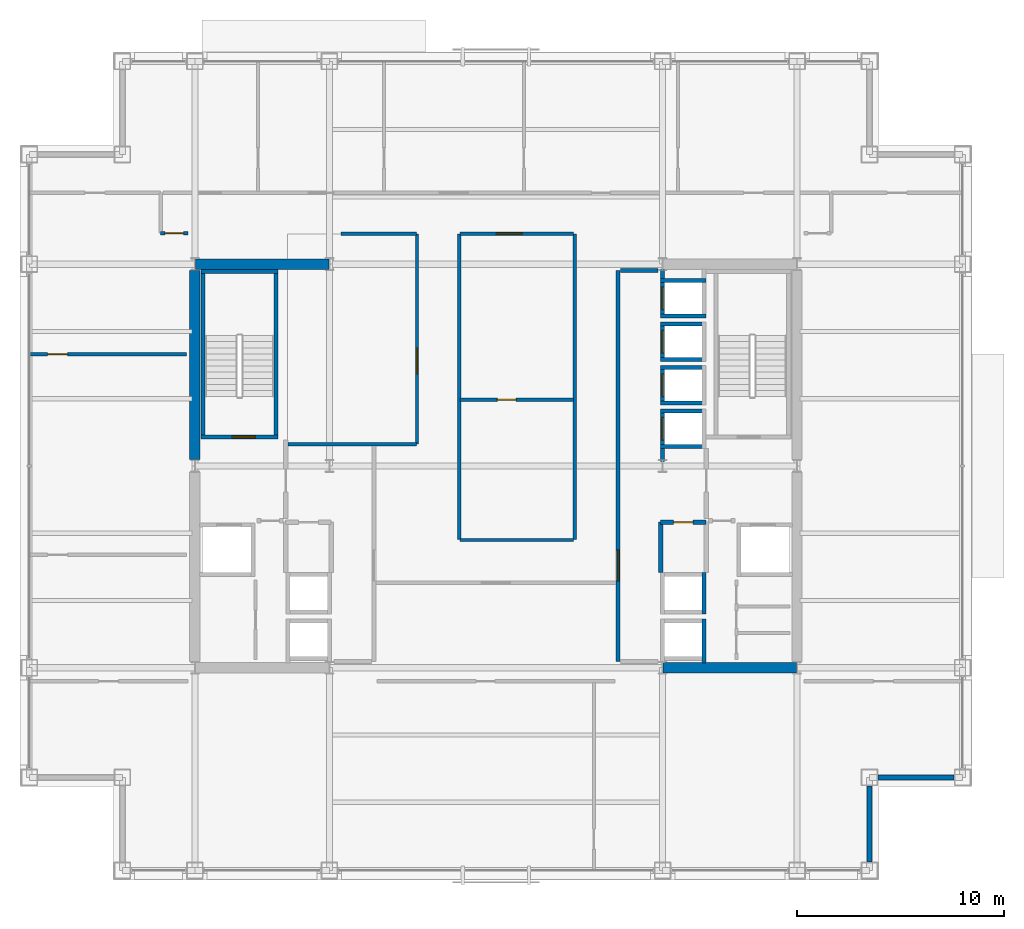
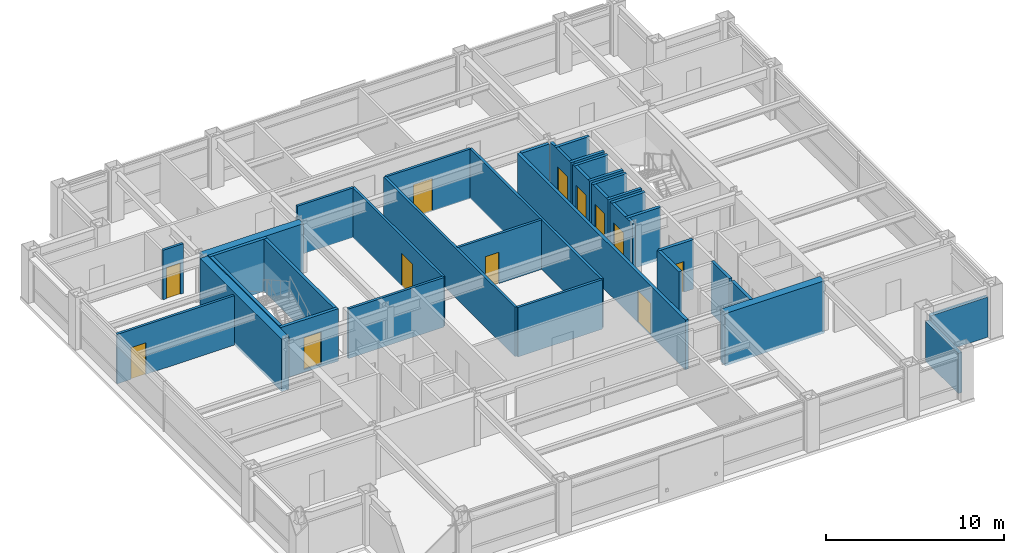
# One storey, part 25 of 28: 37 walls, 12 doors, 12 openings.
"""IFC4 building model written with IfcOpenShell, lengths in metres."""

from ifc_helpers import new_model, si_unit, direction, frame, frame_2d, origin, place, context, subcontext, project, spatial, rectangle, extrude, material, layer, layer_set, type_object, element, fill, save


model = new_model("IFC4")

# Units and contexts
model_context = context("Model", 3, precision=1e-05, world=origin(), true_north=direction((0.0, 1.0)))
body_context = subcontext(model_context, "Body", "Model", "MODEL_VIEW")
ifc_project = project(units=[si_unit("LENGTHUNIT", "METRE"), si_unit("AREAUNIT", "SQUARE_METRE"), si_unit("VOLUMEUNIT", "CUBIC_METRE"), si_unit("PLANEANGLEUNIT", "RADIAN"), si_unit("MASSUNIT", "GRAM", prefix="KILO")], contexts=[model_context])

# Site, building, storey
site_placement = place(None, origin())
site = spatial("IfcSite", under=ifc_project, at=site_placement, CompositionType="ELEMENT")
building_placement = place(site_placement, origin())
building = spatial("IfcBuilding", under=site, at=building_placement, Name="Brelmoor Portico Tower", CompositionType="ELEMENT")
storey_placement = place(building_placement, frame((0.0, 0.0, 142.199951171875)))
storey = spatial("IfcBuildingStorey", under=building, at=storey_placement, Name="L37", CompositionType="ELEMENT", Elevation=142.199951171875)

# Walls
ifc_material_1 = material(Name="Concrete C60", Category="concrete")
ifc_layer_1 = layer(ifc_material_1, 0.5)
ifc_layer_set_1 = layer_set([ifc_layer_1], Name="Concrete C60")
wall_type_1 = type_object("IfcWallType", Name="WL-CORE-500", PredefinedType="SHEAR", material=ifc_layer_set_1)
wall_1_placement = place(storey_placement, frame((-14.530029296875, 9.75, -0.199951171875), z_axis=(0.0, 0.0, 1.0), x_axis=(1.0, 0.0, 0.0)))
element("IfcWall", 1, at=wall_1_placement, inside=storey, type_object=wall_type_1, Name="L37 WC North Shear Wall", PredefinedType="SHEAR", context=body_context, shape_type="SweptSolid", body=[
    extrude(rectangle(XDim=6.4599609375, YDim=0.5, at=frame_2d((3.22998046875, 0.0))), origin(), (0.0, 0.0, 1.0), 3.60009765625),
])
wall_2_placement = place(storey_placement, frame((-14.550048828125, 0.300048828125, -0.199951171875), z_axis=(0.0, 0.0, 1.0), x_axis=(0.0, 1.0, 0.0)))
element("IfcWall", 2, at=wall_2_placement, inside=storey, type_object=wall_type_1, Name="L37 WC Outer North Shear Wall", PredefinedType="SHEAR", context=body_context, shape_type="SweptSolid", body=[
    extrude(rectangle(XDim=9.14990234375, YDim=0.5, at=frame_2d((4.574951171875, 0.0))), origin(), (0.0, 0.0, 1.0), 3.60009765625),
])
wall_3_placement = place(storey_placement, frame((8.070068359375, -9.75, -0.199951171875), z_axis=(0.0, 0.0, 1.0), x_axis=(1.0, 0.0, 0.0)))
element("IfcWall", 3, at=wall_3_placement, inside=storey, type_object=wall_type_1, Name="L37 EC South Shear Wall", PredefinedType="SHEAR", context=body_context, shape_type="SweptSolid", body=[
    extrude(rectangle(XDim=6.4599609375, YDim=0.5, at=frame_2d((3.22998046875, 0.0))), origin(), (0.0, 0.0, 1.0), 3.60009765625),
])
ifc_material_2 = material(Name="Precast Concrete C40 Insulated Facade Wall", Category="concrete")
ifc_layer_2 = layer(ifc_material_2, 0.25)
ifc_layer_set_2 = layer_set([ifc_layer_2], Name="Precast Concrete C40 Insulated Facade Wall")
wall_type_2 = type_object("IfcWallType", Name="WL-EXT-250", PredefinedType="STANDARD", material=ifc_layer_set_2)
for number, where, z_axis, x_axis, name in (
    (4, (18.4599609375, -15.050048828125, 0.0), (0.0, 0.0, 1.0), (1.0, 0.0, 0.0), "L37 Corner Notch Facade Wall NSEH1"),
    (5, (18.050048828125, -19.139892578125, 0.0), (0.0, 0.0, 1.0), (0.0, 1.0, 0.0), "L37 Corner Notch Facade Wall NSEV1"),
):
    element("IfcWall", number, at=place(storey_placement, frame(where, z_axis=z_axis, x_axis=x_axis)), inside=storey, type_object=wall_type_2, Name=name, PredefinedType="STANDARD", context=body_context, shape_type="SweptSolid", body=[
        extrude(rectangle(XDim=3.679931640625, YDim=0.25, at=frame_2d((1.83984375, 0.0))), origin(), (0.0, 0.0, 1.0), 2.75),
    ])
ifc_material_3 = material(Name="Twin-Frame Acoustic Partition", Category="gypsum")
ifc_layer_3 = layer(ifc_material_3, 0.159912109375)
ifc_layer_set_3 = layer_set([ifc_layer_3], Name="Twin-Frame Acoustic Partition")
wall_type_3 = type_object("IfcWallType", Name="WL-PART-160", PredefinedType="PARTITIONING", material=ifc_layer_set_3)
wall_4_placement = place(storey_placement, frame((-10.050048828125, 1.050048828125, 0.0), z_axis=(0.0, 0.0, 1.0), x_axis=(1.0, 0.0, 0.0)))
element("IfcWall", 6, at=wall_4_placement, inside=storey, type_object=wall_type_3, Name="L37 Reclaimed West Suite South Wall", PredefinedType="PARTITIONING", context=body_context, shape_type="SweptSolid", body=[
    extrude(rectangle(XDim=6.2099609375, YDim=0.159912109375, at=frame_2d((3.10498046875, 0.0))), origin(), (0.0, 0.0, 1.0), 3.400146484375),
])

# Wall, opening, door
wall_5_placement = place(storey_placement, frame((-3.820068359375, 1.050048828125, 0.0), z_axis=(0.0, 0.0, 1.0), x_axis=(0.0, 1.0, 0.0)))
wall_5 = element("IfcWall", 7, at=wall_5_placement, inside=storey, type_object=wall_type_3, Name="L37 Reclaimed West Suite East Wall", PredefinedType="PARTITIONING", context=body_context, shape_type="SweptSolid", body=[
    extrude(rectangle(XDim=10.169921875, YDim=0.159912109375, at=frame_2d((5.0849609375, 0.0))), origin(), (0.0, 0.0, 1.0), 3.400146484375),
])
opening_1_placement = place(wall_5_placement, frame((3.39990234375, 0.0, 0.0)))
opening_1 = element("IfcOpeningElement", 8, at=opening_1_placement, cuts=wall_5, Name="Opening D-SU1", PredefinedType="OPENING", context=body_context, shape_type="SweptSolid", body=[
    extrude(rectangle(XDim=1.239990234375, YDim=2.239990234375, at=frame_2d((0.6201171875, 1.1201171875))), frame((0.0, 0.08984375, 0.0), z_axis=(0.0, -1.0, 0.0), x_axis=(1.0, 0.0, 0.0)), (0.0, 0.0, 1.0), 0.179931640625),
])
ifc_material_4 = material(Name="Glazed Timber Executive Suite Door", Category="wood")
door_type_1 = type_object("IfcDoorType", Name="DR-SUITE-1200", OperationType="NOTDEFINED", PredefinedType="DOOR", material=ifc_material_4)
door_1_placement = place(opening_1_placement, origin())
door_1 = element("IfcDoor", 9, at=door_1_placement, inside=storey, type_object=door_type_1, Name="D-1626 L37 West Reclaimed Collaboration Office Door", OperationType="SINGLE_SWING_LEFT", OverallHeight=2.239990234375, OverallWidth=1.239990234375, PredefinedType="DOOR", context=body_context, shape_type="SweptSolid", body=[
    extrude(rectangle(XDim=1.239990234375, YDim=2.239990234375, at=frame_2d((0.6201171875, 1.1201171875))), frame((0.0, 0.02490234375, 0.0), z_axis=(0.0, -1.0, 0.0), x_axis=(1.0, 0.0, 0.0)), (0.0, 0.0, 1.0), 0.050048828125),
])
fill(opening_1, door_1)

# Walls
wall_6_placement = place(storey_placement, frame((-7.5, 11.219970703125, 0.0), z_axis=(0.0, 0.0, 1.0), x_axis=(1.0, 0.0, 0.0)))
element("IfcWall", 10, at=wall_6_placement, inside=storey, type_object=wall_type_3, Name="L37 Reclaimed West Suite North Wall", PredefinedType="PARTITIONING", context=body_context, shape_type="SweptSolid", body=[
    extrude(rectangle(XDim=3.659912109375, YDim=0.159912109375, at=frame_2d((1.830078125, 0.0))), origin(), (0.0, 0.0, 1.0), 3.400146484375),
])
for number, where, z_axis, x_axis, name in (
    (11, (-1.780029296875, -3.550048828125, 0.0), (0.0, 0.0, 1.0), (0.0, 1.0, 0.0), "L37 Central Studio West Wall"),
    (12, (3.800048828125, -3.550048828125, 0.0), (0.0, 0.0, 1.0), (0.0, 1.0, 0.0), "L37 Central Studio East Wall"),
):
    element("IfcWall", number, at=place(storey_placement, frame(where, z_axis=z_axis, x_axis=x_axis)), inside=storey, type_object=wall_type_3, Name=name, PredefinedType="PARTITIONING", context=body_context, shape_type="SweptSolid", body=[
        extrude(rectangle(XDim=14.77001953125, YDim=0.159912109375, at=frame_2d((7.385009765625, 0.0))), origin(), (0.0, 0.0, 1.0), 3.400146484375),
    ])
wall_7_placement = place(storey_placement, frame((-1.72998046875, -3.580078125, 0.0), z_axis=(0.0, 0.0, 1.0), x_axis=(1.0, 0.0, 0.0)))
element("IfcWall", 13, at=wall_7_placement, inside=storey, type_object=wall_type_3, Name="L37 Central Studio South Wall", PredefinedType="PARTITIONING", context=body_context, shape_type="SweptSolid", body=[
    extrude(rectangle(XDim=5.47998046875, YDim=0.159912109375, at=frame_2d((2.739990234375, 0.0))), origin(), (0.0, 0.0, 1.0), 3.400146484375),
])

# Wall, opening, door
wall_8_placement = place(storey_placement, frame((-1.72998046875, 3.199951171875, 0.0), z_axis=(0.0, 0.0, 1.0), x_axis=(1.0, 0.0, 0.0)))
wall_8 = element("IfcWall", 14, at=wall_8_placement, inside=storey, type_object=wall_type_3, Name="L37 Central Pantry Divider", PredefinedType="PARTITIONING", context=body_context, shape_type="SweptSolid", body=[
    extrude(rectangle(XDim=5.47998046875, YDim=0.159912109375, at=frame_2d((2.739990234375, 0.0))), origin(), (0.0, 0.0, 1.0), 3.400146484375),
])
opening_2_placement = place(wall_8_placement, frame((1.800048828125, 0.0, 0.0)))
opening_2 = element("IfcOpeningElement", 15, at=opening_2_placement, cuts=wall_8, Name="Opening D-IN1", PredefinedType="OPENING", context=body_context, shape_type="SweptSolid", body=[
    extrude(rectangle(XDim=0.89990234375, YDim=2.14990234375, at=frame_2d((0.449951171875, 1.074951171875))), frame((0.0, 0.08984375, 0.0), z_axis=(0.0, -1.0, 0.0), x_axis=(1.0, 0.0, 0.0)), (0.0, 0.0, 1.0), 0.179931640625),
])
ifc_material_5 = material(Name="Lacquered Timber Suite Door", Category="wood")
door_type_2 = type_object("IfcDoorType", Name="DR-INT-900", OperationType="NOTDEFINED", PredefinedType="DOOR", material=ifc_material_5)
door_2_placement = place(opening_2_placement, origin())
door_2 = element("IfcDoor", 16, at=door_2_placement, inside=storey, type_object=door_type_2, Name="D-1601 L37 Central Pantry Connecting Door", OperationType="SINGLE_SWING_RIGHT", OverallHeight=2.14990234375, OverallWidth=0.89990234375, PredefinedType="DOOR", context=body_context, shape_type="SweptSolid", body=[
    extrude(rectangle(XDim=0.89990234375, YDim=2.14990234375, at=frame_2d((0.449951171875, 1.074951171875))), frame((0.0, 0.02490234375, 0.0), z_axis=(0.0, -1.0, 0.0), x_axis=(1.0, 0.0, 0.0)), (0.0, 0.0, 1.0), 0.050048828125),
])
fill(opening_2, door_2)

wall_9_placement = place(storey_placement, frame((-1.72998046875, 11.219970703125, 0.0), z_axis=(0.0, 0.0, 1.0), x_axis=(1.0, 0.0, 0.0)))
wall_9 = element("IfcWall", 17, at=wall_9_placement, inside=storey, type_object=wall_type_3, Name="L37 Central Meeting North Wall", PredefinedType="PARTITIONING", context=body_context, shape_type="SweptSolid", body=[
    extrude(rectangle(XDim=5.47998046875, YDim=0.159912109375, at=frame_2d((2.739990234375, 0.0))), origin(), (0.0, 0.0, 1.0), 3.400146484375),
])
opening_3_placement = place(wall_9_placement, frame((1.75, 0.0, 0.0)))
opening_3 = element("IfcOpeningElement", 18, at=opening_3_placement, cuts=wall_9, Name="Opening D-SU1", PredefinedType="OPENING", context=body_context, shape_type="SweptSolid", body=[
    extrude(rectangle(XDim=1.239990234375, YDim=2.239990234375, at=frame_2d((0.6201171875, 1.1201171875))), frame((0.0, 0.08984375, 0.0), z_axis=(0.0, -1.0, 0.0), x_axis=(1.0, 0.0, 0.0)), (0.0, 0.0, 1.0), 0.179931640625),
])
door_3_placement = place(opening_3_placement, origin())
door_3 = element("IfcDoor", 19, at=door_3_placement, inside=storey, type_object=door_type_1, Name="D-1602 L37 Client Meeting Room Door", OperationType="SINGLE_SWING_LEFT", OverallHeight=2.239990234375, OverallWidth=1.239990234375, PredefinedType="DOOR", context=body_context, shape_type="SweptSolid", body=[
    extrude(rectangle(XDim=1.239990234375, YDim=2.239990234375, at=frame_2d((0.6201171875, 1.1201171875))), frame((0.0, 0.02490234375, 0.0), z_axis=(0.0, -1.0, 0.0), x_axis=(1.0, 0.0, 0.0)), (0.0, 0.0, 1.0), 0.050048828125),
])
fill(opening_3, door_3)

wall_10_placement = place(storey_placement, frame((-16.199951171875, 11.25, 0.0), z_axis=(0.0, 0.0, 1.0), x_axis=(1.0, 0.0, 0.0)))
wall_10 = element("IfcWall", 20, at=wall_10_placement, inside=storey, type_object=wall_type_3, Name="L37 W Wing North Entry Wall", PredefinedType="PARTITIONING", context=body_context, shape_type="SweptSolid", body=[
    extrude(rectangle(XDim=1.320068359375, YDim=0.159912109375, at=frame_2d((0.66015625, 0.0))), origin(), (0.0, 0.0, 1.0), 3.400146484375),
])
opening_4_placement = place(wall_10_placement, frame((0.2099609375, 0.0, 0.0)))
opening_4 = element("IfcOpeningElement", 21, at=opening_4_placement, cuts=wall_10, Name="Opening D-IN1", PredefinedType="OPENING", context=body_context, shape_type="SweptSolid", body=[
    extrude(rectangle(XDim=0.89990234375, YDim=2.14990234375, at=frame_2d((0.449951171875, 1.074951171875))), frame((0.0, 0.08984375, 0.0), z_axis=(0.0, -1.0, 0.0), x_axis=(1.0, 0.0, 0.0)), (0.0, 0.0, 1.0), 0.179931640625),
])
door_4_placement = place(opening_4_placement, origin())
door_4 = element("IfcDoor", 22, at=door_4_placement, inside=storey, type_object=door_type_2, Name="D-1634 L37 W Wing Entry Door", OperationType="SINGLE_SWING_RIGHT", OverallHeight=2.14990234375, OverallWidth=0.89990234375, PredefinedType="DOOR", context=body_context, shape_type="SweptSolid", body=[
    extrude(rectangle(XDim=0.89990234375, YDim=2.14990234375, at=frame_2d((0.449951171875, 1.074951171875))), frame((0.0, 0.02490234375, 0.0), z_axis=(0.0, -1.0, 0.0), x_axis=(1.0, 0.0, 0.0)), (0.0, 0.0, 1.0), 0.050048828125),
])
fill(opening_4, door_4)

wall_11_placement = place(storey_placement, frame((-22.56005859375, 5.404296875, 0.0), z_axis=(0.0, 0.0, 1.0), x_axis=(1.0, 0.0, 0.0)))
wall_11 = element("IfcWall", 23, at=wall_11_placement, inside=storey, type_object=wall_type_3, Name="L37 W Wing Partition 2", PredefinedType="PARTITIONING", context=body_context, shape_type="SweptSolid", body=[
    extrude(rectangle(XDim=7.60009765625, YDim=0.159912109375, at=frame_2d((3.800048828125, 0.0))), origin(), (0.0, 0.0, 1.0), 3.400146484375),
])
opening_5_placement = place(wall_11_placement, frame((0.89990234375, 0.0, 0.0)))
opening_5 = element("IfcOpeningElement", 24, at=opening_5_placement, cuts=wall_11, Name="Opening D-IN2", PredefinedType="OPENING", context=body_context, shape_type="SweptSolid", body=[
    extrude(rectangle(XDim=0.9599609375, YDim=2.179931640625, at=frame_2d((0.47998046875, 1.08984375))), frame((0.0, 0.08984375, 0.0), z_axis=(0.0, -1.0, 0.0), x_axis=(1.0, 0.0, 0.0)), (0.0, 0.0, 1.0), 0.179931640625),
])
door_type_3 = type_object("IfcDoorType", Name="DR-INT-950", OperationType="NOTDEFINED", PredefinedType="DOOR", material=ifc_material_5)
door_5_placement = place(opening_5_placement, origin())
door_5 = element("IfcDoor", 25, at=door_5_placement, inside=storey, type_object=door_type_3, Name="D-1636 L37 W Wing Suite Connecting Door 2", OperationType="SINGLE_SWING_RIGHT", OverallHeight=2.179931640625, OverallWidth=0.9599609375, PredefinedType="DOOR", context=body_context, shape_type="SweptSolid", body=[
    extrude(rectangle(XDim=0.9599609375, YDim=2.179931640625, at=frame_2d((0.47998046875, 1.08984375))), frame((0.0, 0.02490234375, 0.0), z_axis=(0.0, -1.0, 0.0), x_axis=(1.0, 0.0, 0.0)), (0.0, 0.0, 1.0), 0.050048828125),
])
fill(opening_5, door_5)

ifc_material_6 = material(Name="Double-Stud Gypsum Fire Partition", Category="gypsum")
ifc_layer_4 = layer(ifc_material_6, 0.199951171875)
ifc_layer_set_4 = layer_set([ifc_layer_4], Name="Double-Stud Gypsum Fire Partition")
wall_type_4 = type_object("IfcWallType", Name="WL-PART-200", PredefinedType="PARTITIONING", material=ifc_layer_set_4)
wall_12_placement = place(storey_placement, frame((5.89990234375, -9.449951171875, 0.0), z_axis=(0.0, 0.0, 1.0), x_axis=(0.0, 1.0, 0.0)))
wall_12 = element("IfcWall", 26, at=wall_12_placement, inside=storey, type_object=wall_type_4, Name="L37 E Core Lobby Compartment Wall", PredefinedType="PARTITIONING", context=body_context, shape_type="SweptSolid", body=[
    extrude(rectangle(XDim=18.89990234375, YDim=0.199951171875, at=frame_2d((9.449951171875, 0.0))), origin(), (0.0, 0.0, 1.0), 3.400146484375),
])
opening_6_placement = place(wall_12_placement, frame((3.89990234375, 0.0, 0.0)))
opening_6 = element("IfcOpeningElement", 27, at=opening_6_placement, cuts=wall_12, Name="Opening D-LB1", PredefinedType="OPENING", context=body_context, shape_type="SweptSolid", body=[
    extrude(rectangle(XDim=1.5, YDim=2.199951171875, at=frame_2d((0.75, 1.10009765625))), frame((0.0, 0.10986328125, 0.0), z_axis=(0.0, -1.0, 0.0), x_axis=(1.0, 0.0, 0.0)), (0.0, 0.0, 1.0), 0.219970703125),
])
ifc_material_7 = material(Name="Double-Leaf Glazed Steel Fire Door", Category="steel")
door_type_4 = type_object("IfcDoorType", Name="DR-LOBBY-1500", OperationType="NOTDEFINED", PredefinedType="DOOR", material=ifc_material_7)
door_6_placement = place(opening_6_placement, origin())
door_6 = element("IfcDoor", 28, at=door_6_placement, inside=storey, type_object=door_type_4, Name="D-1613 L37 E Lift Lobby Main Door", OperationType="DOUBLE_DOOR_SINGLE_SWING", OverallHeight=2.199951171875, OverallWidth=1.5, PredefinedType="DOOR", context=body_context, shape_type="SweptSolid", body=[
    extrude(rectangle(XDim=1.5, YDim=2.199951171875, at=frame_2d((0.75, 1.10009765625))), frame((0.0, 0.02490234375, 0.0), z_axis=(0.0, -1.0, 0.0), x_axis=(1.0, 0.0, 0.0)), (0.0, 0.0, 1.0), 0.050048828125),
])
fill(opening_6, door_6)

# Wall
wall_13_placement = place(storey_placement, frame((6.02001953125, 9.449951171875, 0.0), z_axis=(0.0, 0.0, 1.0), x_axis=(1.0, 0.0, 0.0)))
element("IfcWall", 29, at=wall_13_placement, inside=storey, type_object=wall_type_4, Name="L37 E Lift Lobby North End Wall", PredefinedType="PARTITIONING", context=body_context, shape_type="SweptSolid", body=[
    extrude(rectangle(XDim=1.800048828125, YDim=0.199951171875, at=frame_2d((0.89990234375, 0.0))), origin(), (0.0, 0.0, 1.0), 3.400146484375),
])

# Wall, opening, door
wall_14_placement = place(storey_placement, frame((7.9599609375, -2.719970703125, 0.0), z_axis=(0.0, 0.0, 1.0), x_axis=(1.0, 0.0, 0.0)))
wall_14 = element("IfcWall", 30, at=wall_14_placement, inside=storey, type_object=wall_type_4, Name="L37 E Electrical Switchgear Closet Wall", PredefinedType="PARTITIONING", context=body_context, shape_type="SweptSolid", body=[
    extrude(rectangle(XDim=2.199951171875, YDim=0.199951171875, at=frame_2d((1.10009765625, 0.0))), origin(), (0.0, 0.0, 1.0), 3.400146484375),
])
opening_7_placement = place(wall_14_placement, frame((0.6201171875, 0.0, 0.0)))
opening_7 = element("IfcOpeningElement", 31, at=opening_7_placement, cuts=wall_14, Name="Opening D-FR4", PredefinedType="OPENING", context=body_context, shape_type="SweptSolid", body=[
    extrude(rectangle(XDim=0.949951171875, YDim=2.10009765625, at=frame_2d((0.47509765625, 1.050048828125))), frame((0.0, 0.10986328125, 0.0), z_axis=(0.0, -1.0, 0.0), x_axis=(1.0, 0.0, 0.0)), (0.0, 0.0, 1.0), 0.219970703125),
])
ifc_material_8 = material(Name="Painted Galvanised Steel Riser Door", Category="steel")
door_type_5 = type_object("IfcDoorType", Name="DR-FIRE-950", OperationType="NOTDEFINED", PredefinedType="DOOR", material=ifc_material_8)
door_7_placement = place(opening_7_placement, origin())
door_7 = element("IfcDoor", 32, at=door_7_placement, inside=storey, type_object=door_type_5, Name="D-1609 L37 E Electrical Switchgear Closet Door", OperationType="SINGLE_SWING_LEFT", OverallHeight=2.10009765625, OverallWidth=0.949951171875, PredefinedType="DOOR", context=body_context, shape_type="SweptSolid", body=[
    extrude(rectangle(XDim=0.949951171875, YDim=2.10009765625, at=frame_2d((0.47509765625, 1.050048828125))), frame((0.0, 0.02490234375, 0.0), z_axis=(0.0, -1.0, 0.0), x_axis=(1.0, 0.0, 0.0)), (0.0, 0.0, 1.0), 0.050048828125),
])
fill(opening_7, door_7)

# Wall
wall_15_placement = place(storey_placement, frame((7.9599609375, -5.159912109375, 0.0), z_axis=(0.0, 0.0, 1.0), x_axis=(0.0, 1.0, 0.0)))
element("IfcWall", 33, at=wall_15_placement, inside=storey, type_object=wall_type_4, Name="L37 E Electrical Switchgear Closet Inner Wall", PredefinedType="PARTITIONING", context=body_context, shape_type="SweptSolid", body=[
    extrude(rectangle(XDim=2.43994140625, YDim=0.199951171875, at=frame_2d((1.219970703125, 0.0))), origin(), (0.0, 0.0, 1.0), 3.400146484375),
])

# Wall, opening, door
ifc_material_9 = material(Name="Precast Concrete C40", Category="concrete")
ifc_layer_5 = layer(ifc_material_9, 0.18994140625)
ifc_layer_set_5 = layer_set([ifc_layer_5], Name="Precast Concrete C40")
wall_type_5 = type_object("IfcWallType", Name="WL-SHAFT-180", PredefinedType="SOLIDWALL", material=ifc_layer_set_5)
wall_16_placement = place(storey_placement, frame((8.044921875, 0.2099609375, -0.199951171875), z_axis=(0.0, 0.0, 1.0), x_axis=(0.0, 1.0, 0.0)))
wall_16 = element("IfcWall", 34, at=wall_16_placement, inside=storey, type_object=wall_type_5, Name="L37 Lift PM1 Hoistway Front Wall", PredefinedType="SOLIDWALL", context=body_context, shape_type="SweptSolid", body=[
    extrude(rectangle(XDim=2.5400390625, YDim=0.18994140625, at=frame_2d((1.27001953125, 0.0))), origin(), (0.0, 0.0, 1.0), 3.60009765625),
])
opening_8_placement = place(wall_16_placement, frame((1.0400390625, 0.0, 0.199951171875)))
opening_8 = element("IfcOpeningElement", 35, at=opening_8_placement, cuts=wall_16, Name="Opening LD-01", PredefinedType="OPENING", context=body_context, shape_type="SweptSolid", body=[
    extrude(rectangle(XDim=1.10009765625, YDim=2.199951171875, at=frame_2d((0.550048828125, 1.10009765625))), frame((0.0, 0.10498046875, 0.0), z_axis=(0.0, -1.0, 0.0), x_axis=(1.0, 0.0, 0.0)), (0.0, 0.0, 1.0), 0.2099609375),
])
ifc_material_10 = material(Name="Brushed Stainless Steel Sliding Lift Door", Category="steel")
door_type_6 = type_object("IfcDoorType", Name="DR-LIFT-1100", OperationType="NOTDEFINED", PredefinedType="DOOR", material=ifc_material_10)
door_8_placement = place(opening_8_placement, origin())
door_8 = element("IfcDoor", 36, at=door_8_placement, inside=storey, type_object=door_type_6, Name="D-1639 L37 Lift PM1 Sliding Landing Door", OperationType="SLIDING_TO_LEFT", OverallHeight=2.199951171875, OverallWidth=1.10009765625, PredefinedType="DOOR", context=body_context, shape_type="SweptSolid", body=[
    extrude(rectangle(XDim=1.10009765625, YDim=2.199951171875, at=frame_2d((0.550048828125, 1.10009765625))), frame((0.0, 0.02490234375, 0.0), z_axis=(0.0, -1.0, 0.0), x_axis=(1.0, 0.0, 0.0)), (0.0, 0.0, 1.0), 0.050048828125),
])
fill(opening_8, door_8)

# Walls
for number, where, z_axis, x_axis, name in (
    (37, (7.949951171875, 2.655029296875, -0.199951171875), (0.0, 0.0, 1.0), (1.0, 0.0, 0.0), "L37 Lift PM1 Hoistway North Wall"),
    (38, (7.949951171875, 0.945068359375, -0.199951171875), (0.0, 0.0, 1.0), (1.0, 0.0, 0.0), "L37 Lift PM1 Hoistway South Wall"),
):
    element("IfcWall", number, at=place(storey_placement, frame(where, z_axis=z_axis, x_axis=x_axis)), inside=storey, type_object=wall_type_5, Name=name, PredefinedType="SOLIDWALL", context=body_context, shape_type="SweptSolid", body=[
        extrude(rectangle(XDim=2.199951171875, YDim=0.18994140625, at=frame_2d((1.10009765625, 0.0))), origin(), (0.0, 0.0, 1.0), 3.60009765625),
    ])

# Wall, opening, door
wall_17_placement = place(storey_placement, frame((8.044921875, 2.949951171875, -0.199951171875), z_axis=(0.0, 0.0, 1.0), x_axis=(0.0, 1.0, 0.0)))
wall_17 = element("IfcWall", 39, at=wall_17_placement, inside=storey, type_object=wall_type_5, Name="L37 Lift PM2 Hoistway Front Wall", PredefinedType="SOLIDWALL", context=body_context, shape_type="SweptSolid", body=[
    extrude(rectangle(XDim=1.900146484375, YDim=0.18994140625, at=frame_2d((0.9501953125, 0.0))), origin(), (0.0, 0.0, 1.0), 3.60009765625),
])
opening_9_placement = place(wall_17_placement, frame((0.39990234375, 0.0, 0.199951171875)))
opening_9 = element("IfcOpeningElement", 40, at=opening_9_placement, cuts=wall_17, Name="Opening LD-01", PredefinedType="OPENING", context=body_context, shape_type="SweptSolid", body=[
    extrude(rectangle(XDim=1.10009765625, YDim=2.199951171875, at=frame_2d((0.550048828125, 1.10009765625))), frame((0.0, 0.10498046875, 0.0), z_axis=(0.0, -1.0, 0.0), x_axis=(1.0, 0.0, 0.0)), (0.0, 0.0, 1.0), 0.2099609375),
])
door_9_placement = place(opening_9_placement, origin())
door_9 = element("IfcDoor", 41, at=door_9_placement, inside=storey, type_object=door_type_6, Name="D-1640 L37 Lift PM2 Sliding Landing Door", OperationType="SLIDING_TO_LEFT", OverallHeight=2.199951171875, OverallWidth=1.10009765625, PredefinedType="DOOR", context=body_context, shape_type="SweptSolid", body=[
    extrude(rectangle(XDim=1.10009765625, YDim=2.199951171875, at=frame_2d((0.550048828125, 1.10009765625))), frame((0.0, 0.02490234375, 0.0), z_axis=(0.0, -1.0, 0.0), x_axis=(1.0, 0.0, 0.0)), (0.0, 0.0, 1.0), 0.050048828125),
])
fill(opening_9, door_9)

# Walls
for number, where, z_axis, x_axis, name in (
    (42, (7.949951171875, 4.7548828125, -0.199951171875), (0.0, 0.0, 1.0), (1.0, 0.0, 0.0), "L37 Lift PM2 Hoistway North Wall"),
    (43, (7.949951171875, 3.044921875, -0.199951171875), (0.0, 0.0, 1.0), (1.0, 0.0, 0.0), "L37 Lift PM2 Hoistway South Wall"),
):
    element("IfcWall", number, at=place(storey_placement, frame(where, z_axis=z_axis, x_axis=x_axis)), inside=storey, type_object=wall_type_5, Name=name, PredefinedType="SOLIDWALL", context=body_context, shape_type="SweptSolid", body=[
        extrude(rectangle(XDim=2.199951171875, YDim=0.18994140625, at=frame_2d((1.10009765625, 0.0))), origin(), (0.0, 0.0, 1.0), 3.60009765625),
    ])

# Wall, opening, door
wall_18_placement = place(storey_placement, frame((8.044921875, 5.050048828125, -0.199951171875), z_axis=(0.0, 0.0, 1.0), x_axis=(0.0, 1.0, 0.0)))
wall_18 = element("IfcWall", 44, at=wall_18_placement, inside=storey, type_object=wall_type_5, Name="L37 Lift PM3 Hoistway Front Wall", PredefinedType="SOLIDWALL", context=body_context, shape_type="SweptSolid", body=[
    extrude(rectangle(XDim=1.89990234375, YDim=0.18994140625, at=frame_2d((0.949951171875, 0.0))), origin(), (0.0, 0.0, 1.0), 3.60009765625),
])
opening_10_placement = place(wall_18_placement, frame((0.39990234375, 0.0, 0.199951171875)))
opening_10 = element("IfcOpeningElement", 45, at=opening_10_placement, cuts=wall_18, Name="Opening LD-01", PredefinedType="OPENING", context=body_context, shape_type="SweptSolid", body=[
    extrude(rectangle(XDim=1.10009765625, YDim=2.199951171875, at=frame_2d((0.550048828125, 1.10009765625))), frame((0.0, 0.10498046875, 0.0), z_axis=(0.0, -1.0, 0.0), x_axis=(1.0, 0.0, 0.0)), (0.0, 0.0, 1.0), 0.2099609375),
])
door_10_placement = place(opening_10_placement, origin())
door_10 = element("IfcDoor", 46, at=door_10_placement, inside=storey, type_object=door_type_6, Name="D-1641 L37 Lift PM3 Sliding Landing Door", OperationType="SLIDING_TO_LEFT", OverallHeight=2.199951171875, OverallWidth=1.10009765625, PredefinedType="DOOR", context=body_context, shape_type="SweptSolid", body=[
    extrude(rectangle(XDim=1.10009765625, YDim=2.199951171875, at=frame_2d((0.550048828125, 1.10009765625))), frame((0.0, 0.02490234375, 0.0), z_axis=(0.0, -1.0, 0.0), x_axis=(1.0, 0.0, 0.0)), (0.0, 0.0, 1.0), 0.050048828125),
])
fill(opening_10, door_10)

# Walls
for number, where, z_axis, x_axis, name in (
    (47, (7.949951171875, 6.85498046875, -0.199951171875), (0.0, 0.0, 1.0), (1.0, 0.0, 0.0), "L37 Lift PM3 Hoistway North Wall"),
    (48, (7.949951171875, 5.14501953125, -0.199951171875), (0.0, 0.0, 1.0), (1.0, 0.0, 0.0), "L37 Lift PM3 Hoistway South Wall"),
):
    element("IfcWall", number, at=place(storey_placement, frame(where, z_axis=z_axis, x_axis=x_axis)), inside=storey, type_object=wall_type_5, Name=name, PredefinedType="SOLIDWALL", context=body_context, shape_type="SweptSolid", body=[
        extrude(rectangle(XDim=2.199951171875, YDim=0.18994140625, at=frame_2d((1.10009765625, 0.0))), origin(), (0.0, 0.0, 1.0), 3.60009765625),
    ])

# Wall, opening, door
wall_19_placement = place(storey_placement, frame((8.044921875, 7.14990234375, -0.199951171875), z_axis=(0.0, 0.0, 1.0), x_axis=(0.0, 1.0, 0.0)))
wall_19 = element("IfcWall", 49, at=wall_19_placement, inside=storey, type_object=wall_type_5, Name="L37 Lift PM4 Hoistway Front Wall", PredefinedType="SOLIDWALL", context=body_context, shape_type="SweptSolid", body=[
    extrude(rectangle(XDim=2.3701171875, YDim=0.18994140625, at=frame_2d((1.18505859375, 0.0))), origin(), (0.0, 0.0, 1.0), 3.60009765625),
])
opening_11_placement = place(wall_19_placement, frame((0.39990234375, 0.0, 0.199951171875)))
opening_11 = element("IfcOpeningElement", 50, at=opening_11_placement, cuts=wall_19, Name="Opening LD-01", PredefinedType="OPENING", context=body_context, shape_type="SweptSolid", body=[
    extrude(rectangle(XDim=1.10009765625, YDim=2.199951171875, at=frame_2d((0.550048828125, 1.10009765625))), frame((0.0, 0.10498046875, 0.0), z_axis=(0.0, -1.0, 0.0), x_axis=(1.0, 0.0, 0.0)), (0.0, 0.0, 1.0), 0.2099609375),
])
door_11_placement = place(opening_11_placement, origin())
door_11 = element("IfcDoor", 51, at=door_11_placement, inside=storey, type_object=door_type_6, Name="D-1642 L37 Lift PM4 Sliding Landing Door", OperationType="SLIDING_TO_LEFT", OverallHeight=2.199951171875, OverallWidth=1.10009765625, PredefinedType="DOOR", context=body_context, shape_type="SweptSolid", body=[
    extrude(rectangle(XDim=1.10009765625, YDim=2.199951171875, at=frame_2d((0.550048828125, 1.10009765625))), frame((0.0, 0.02490234375, 0.0), z_axis=(0.0, -1.0, 0.0), x_axis=(1.0, 0.0, 0.0)), (0.0, 0.0, 1.0), 0.050048828125),
])
fill(opening_11, door_11)

# Walls
for number, where, z_axis, x_axis, name in (
    (52, (7.949951171875, 8.955078125, -0.199951171875), (0.0, 0.0, 1.0), (1.0, 0.0, 0.0), "L37 Lift PM4 Hoistway North Wall"),
    (53, (7.949951171875, 7.2451171875, -0.199951171875), (0.0, 0.0, 1.0), (1.0, 0.0, 0.0), "L37 Lift PM4 Hoistway South Wall"),
):
    element("IfcWall", number, at=place(storey_placement, frame(where, z_axis=z_axis, x_axis=x_axis)), inside=storey, type_object=wall_type_5, Name=name, PredefinedType="SOLIDWALL", context=body_context, shape_type="SweptSolid", body=[
        extrude(rectangle(XDim=2.199951171875, YDim=0.18994140625, at=frame_2d((1.10009765625, 0.0))), origin(), (0.0, 0.0, 1.0), 3.60009765625),
    ])
wall_20_placement = place(storey_placement, frame((10.054931640625, -9.52001953125, -0.199951171875), z_axis=(0.0, 0.0, 1.0), x_axis=(0.0, 1.0, 0.0)))
element("IfcWall", 54, at=wall_20_placement, inside=storey, type_object=wall_type_5, Name="L37 Lift PH3 Hoistway Back Wall", PredefinedType="SOLIDWALL", context=body_context, shape_type="SweptSolid", body=[
    extrude(rectangle(XDim=2.1201171875, YDim=0.18994140625, at=frame_2d((1.06005859375, 0.0))), origin(), (0.0, 0.0, 1.0), 3.60009765625),
])
wall_21_placement = place(storey_placement, frame((10.054931640625, -7.14990234375, -0.199951171875), z_axis=(0.0, 0.0, 1.0), x_axis=(0.0, 1.0, 0.0)))
element("IfcWall", 55, at=wall_21_placement, inside=storey, type_object=wall_type_5, Name="L37 Lift PH4 Hoistway Back Wall", PredefinedType="SOLIDWALL", context=body_context, shape_type="SweptSolid", body=[
    extrude(rectangle(XDim=2.0, YDim=0.18994140625, at=frame_2d((1.0, 0.0))), origin(), (0.0, 0.0, 1.0), 3.60009765625),
])
ifc_material_11 = material(Name="Concrete C40", Category="concrete")
ifc_layer_6 = layer(ifc_material_11, 0.199951171875)
ifc_layer_set_6 = layer_set([ifc_layer_6], Name="Concrete C40")
wall_type_6 = type_object("IfcWallType", Name="WL-SHAFT-RC200", PredefinedType="SOLIDWALL", material=ifc_layer_set_6)
wall_22_placement = place(storey_placement, frame((-14.14990234375, 1.5, -0.199951171875), z_axis=(0.0, 0.0, 1.0), x_axis=(0.0, 1.0, 0.0)))
element("IfcWall", 56, at=wall_22_placement, inside=storey, type_object=wall_type_6, Name="L37 ST-W Structural Stair Wall Outer", PredefinedType="SOLIDWALL", context=body_context, shape_type="SweptSolid", body=[
    extrude(rectangle(XDim=7.800048828125, YDim=0.199951171875, at=frame_2d((3.89990234375, 0.0))), origin(), (0.0, 0.0, 1.0), 3.60009765625),
])

# Wall, opening, door
wall_23_placement = place(storey_placement, frame((-14.25, 1.39990234375, -0.199951171875), z_axis=(0.0, 0.0, 1.0), x_axis=(1.0, 0.0, 0.0)))
wall_23 = element("IfcWall", 57, at=wall_23_placement, inside=storey, type_object=wall_type_6, Name="L37 ST-W Structural Stair Wall S", PredefinedType="SOLIDWALL", context=body_context, shape_type="SweptSolid", body=[
    extrude(rectangle(XDim=3.719970703125, YDim=0.199951171875, at=frame_2d((1.85986328125, 0.0))), origin(), (0.0, 0.0, 1.0), 3.60009765625),
])
opening_12_placement = place(wall_23_placement, frame((1.5, 0.0, 0.199951171875)))
opening_12 = element("IfcOpeningElement", 58, at=opening_12_placement, cuts=wall_23, Name="Opening D-ST1", PredefinedType="OPENING", context=body_context, shape_type="SweptSolid", body=[
    extrude(rectangle(XDim=1.1201171875, YDim=2.179931640625, at=frame_2d((0.56005859375, 1.08984375))), frame((0.0, 0.10986328125, 0.0), z_axis=(0.0, -1.0, 0.0), x_axis=(1.0, 0.0, 0.0)), (0.0, 0.0, 1.0), 0.219970703125),
])
ifc_material_12 = material(Name="Painted Galvanised Steel Fire Door", Category="steel")
door_type_7 = type_object("IfcDoorType", Name="DR-STAIR-1100", OperationType="NOTDEFINED", PredefinedType="DOOR", material=ifc_material_12)
door_12_placement = place(opening_12_placement, origin())
door_12 = element("IfcDoor", 59, at=door_12_placement, inside=storey, type_object=door_type_7, Name="D-1630 L37 ST-W Protected Exit Stair Door", OperationType="SINGLE_SWING_LEFT", OverallHeight=2.179931640625, OverallWidth=1.1201171875, PredefinedType="DOOR", context=body_context, shape_type="SweptSolid", body=[
    extrude(rectangle(XDim=1.1201171875, YDim=2.179931640625, at=frame_2d((0.56005859375, 1.08984375))), frame((0.0, 0.02490234375, 0.0), z_axis=(0.0, -1.0, 0.0), x_axis=(1.0, 0.0, 0.0)), (0.0, 0.0, 1.0), 0.050048828125),
])
fill(opening_12, door_12)

# Walls
wall_24_placement = place(storey_placement, frame((-14.25, 9.39990234375, -0.199951171875), z_axis=(0.0, 0.0, 1.0), x_axis=(1.0, 0.0, 0.0)))
element("IfcWall", 60, at=wall_24_placement, inside=storey, type_object=wall_type_6, Name="L37 ST-W Structural Stair Wall N", PredefinedType="SOLIDWALL", context=body_context, shape_type="SweptSolid", body=[
    extrude(rectangle(XDim=3.719970703125, YDim=0.199951171875, at=frame_2d((1.85986328125, 0.0))), origin(), (0.0, 0.0, 1.0), 3.60009765625),
])
wall_25_placement = place(storey_placement, frame((-10.6298828125, 1.5, -0.199951171875), z_axis=(0.0, 0.0, 1.0), x_axis=(0.0, 1.0, 0.0)))
element("IfcWall", 61, at=wall_25_placement, inside=storey, type_object=wall_type_6, Name="L37 ST-W Structural Stair Wall Inner", PredefinedType="SOLIDWALL", context=body_context, shape_type="SweptSolid", body=[
    extrude(rectangle(XDim=7.800048828125, YDim=0.199951171875, at=frame_2d((3.89990234375, 0.0))), origin(), (0.0, 0.0, 1.0), 3.60009765625),
])

save(model, "model.ifc")
